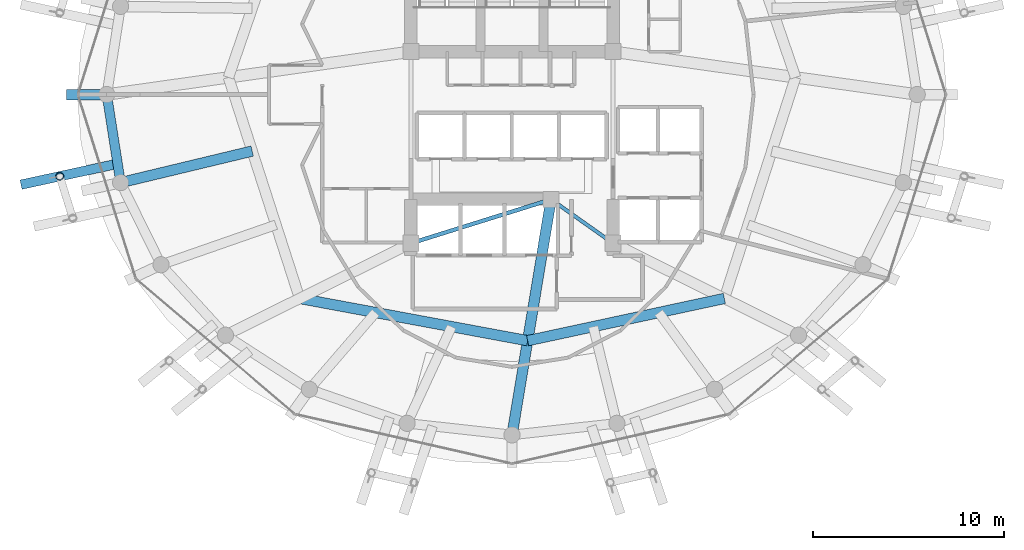
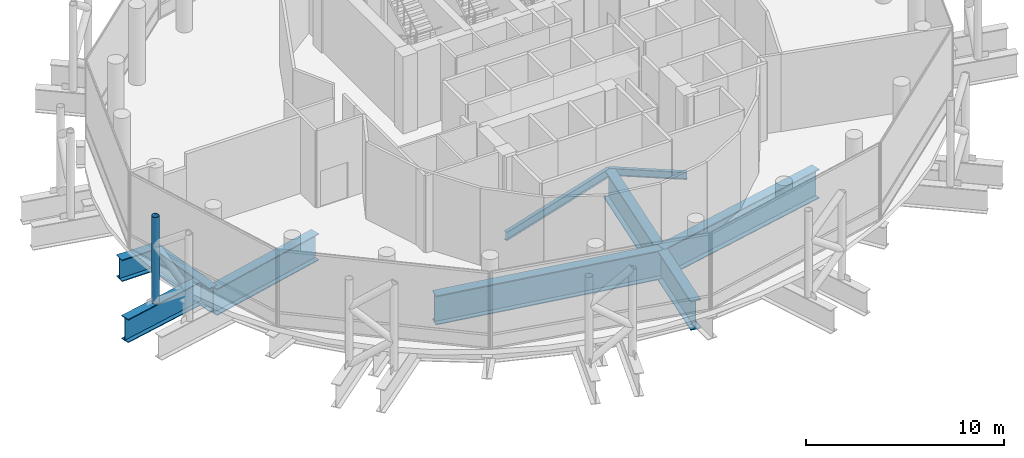
# One storey, part 5 of 31: 9 beams, 1 member.
"""IFC4 building model written with IfcOpenShell, lengths in metres."""

from ifc_helpers import new_model, si_unit, direction, frame, origin, origin_2d, place, context, subcontext, project, spatial, hollow_circle, i_section, extrude, material, material_profile, profile_set, type_object, element, save


model = new_model("IFC4")

# Units and contexts
model_context = context("Model", 3, precision=1e-05, world=origin(), true_north=direction((0.0, 1.0)))
body_context = subcontext(model_context, "Body", "Model", "MODEL_VIEW")
ifc_project = project(units=[si_unit("LENGTHUNIT", "METRE"), si_unit("AREAUNIT", "SQUARE_METRE"), si_unit("VOLUMEUNIT", "CUBIC_METRE"), si_unit("PLANEANGLEUNIT", "RADIAN"), si_unit("MASSUNIT", "GRAM", prefix="KILO")], contexts=[model_context])

# Site, building, storey
site_placement = place(None, origin())
site = spatial("IfcSite", under=ifc_project, at=site_placement, CompositionType="ELEMENT")
building_placement = place(site_placement, origin())
building = spatial("IfcBuilding", under=site, at=building_placement, Name="Nuhasar Tower", CompositionType="ELEMENT")
storey_placement = place(building_placement, frame((0.0, 0.0, 203.14990234375)))
storey = spatial("IfcBuildingStorey", under=building, at=storey_placement, Name="L49", CompositionType="ELEMENT", Elevation=203.14990234375)

# Beams
ifc_material_1 = material(Name="Steel S355", Category="steel")
ifc_material_profile_1 = material_profile(ifc_material_1, i_section(OverallWidth=0.18994140625, OverallDepth=0.45703125, WebThickness=0.009033203125, FlangeThickness=0.014404296875, at=origin_2d()), Name="W18X50")
ifc_profile_set_1 = profile_set([ifc_material_profile_1], Name="Steel S355")
beam_type_1 = type_object("IfcBeamType", Name="BM-RAD-W18X50", PredefinedType="BEAM", material=ifc_profile_set_1)
beam_1_placement = place(storey_placement, frame((41.050048828125, 21.300048828125, -0.5478515625), z_axis=(0.816265428953, -0.577677028708, 0.0), x_axis=(0.577677028708, 0.816265428953, 0.0)))
element("IfcBeam", 1, at=beam_1_placement, inside=storey, type_object=beam_type_1, Name="L49 Core Ring Girder 2", PredefinedType="BEAM", context=body_context, shape_type="SweptSolid", body=[
    extrude(i_section(OverallWidth=0.18994140625, OverallDepth=0.45703125, WebThickness=0.009033203125, FlangeThickness=0.014404296875, at=origin_2d()), origin(), (0.0, 0.0, 1.0), 3.9814453125),
])
ifc_material_profile_2 = material_profile(ifc_material_1, i_section(OverallWidth=0.208984375, OverallDepth=0.528076171875, WebThickness=0.009521484375, FlangeThickness=0.01318359375, at=origin_2d()), Name="W21X55")
ifc_profile_set_2 = profile_set([ifc_material_profile_2], Name="Steel S355")
beam_type_2 = type_object("IfcBeamType", Name="BM-RAD-W21X55", PredefinedType="BEAM", material=ifc_profile_set_2)
beam_2_placement = place(storey_placement, frame((33.699951171875, 19.0, -0.583984375), z_axis=(0.954363709454, 0.298646798205, 0.0), x_axis=(-0.298646798205, 0.954363709454, 0.0)))
element("IfcBeam", 2, at=beam_2_placement, inside=storey, type_object=beam_type_2, Name="L49 Core Ring Girder 1", PredefinedType="BEAM", context=body_context, shape_type="SweptSolid", body=[
    extrude(i_section(OverallWidth=0.208984375, OverallDepth=0.528076171875, WebThickness=0.009521484375, FlangeThickness=0.01318359375, at=origin_2d()), origin(), (0.0, 0.0, 1.0), 7.70166015625),
])
ifc_material_2 = material(Name="Steel S460", Category="steel")
ifc_material_profile_3 = material_profile(ifc_material_2, i_section(OverallWidth=0.550048828125, OverallDepth=1.35009765625, WebThickness=0.028076171875, FlangeThickness=0.050048828125, at=origin_2d()), Name="PG1350X550")
ifc_profile_set_3 = profile_set([ifc_material_profile_3], Name="Steel S460")
beam_type_3 = type_object("IfcBeamType", Name="BM-XFER-PG1350", PredefinedType="USERDEFINED", material=ifc_profile_set_3)
beam_3_placement = place(storey_placement, frame((17.75, 26.800048828125, -0.994873046875), z_axis=(-1.0, 0.0, 0.0), x_axis=(0.0, -1.0, 0.0)))
element("IfcBeam", 3, at=beam_3_placement, inside=storey, type_object=beam_type_3, Name="L49 Radial Step Transfer Girder 08", ObjectType="GIRDER", PredefinedType="USERDEFINED", context=body_context, shape_type="SweptSolid", body=[
    extrude(i_section(OverallWidth=0.550048828125, OverallDepth=1.35009765625, WebThickness=0.028076171875, FlangeThickness=0.050048828125, at=origin_2d()), origin(), (0.0, 0.0, 1.0), 2.10009765625),
])
ifc_material_profile_4 = material_profile(ifc_material_2, i_section(OverallWidth=0.5, OverallDepth=1.449951171875, WebThickness=0.028076171875, FlangeThickness=0.050048828125, at=origin_2d()), Name="PG1450X500")
ifc_profile_set_4 = profile_set([ifc_material_profile_4], Name="Steel S460")
beam_type_4 = type_object("IfcBeamType", Name="BM-XFER-PG1450", PredefinedType="USERDEFINED", material=ifc_profile_set_4)
beam_4_placement = place(storey_placement, frame((17.75, 26.800048828125, -1.044921875), z_axis=(0.154841886404, -0.987939264436, 0.0), x_axis=(0.987939264436, 0.154841886404, 0.0)))
element("IfcBeam", 4, at=beam_4_placement, inside=storey, type_object=beam_type_4, Name="L49 Perimeter Ring Spandrel 13", ObjectType="GIRDER", PredefinedType="USERDEFINED", context=body_context, shape_type="SweptSolid", body=[
    extrude(i_section(OverallWidth=0.5, OverallDepth=1.449951171875, WebThickness=0.028076171875, FlangeThickness=0.050048828125, at=origin_2d()), origin(), (0.0, 0.0, 1.0), 4.676513671875),
])
beam_5_placement = place(storey_placement, frame((18.319091796875, 23.172119140625, -1.044921875), z_axis=(-0.977312581793, -0.211802071448, 0.0), x_axis=(0.211802071448, -0.977312581793, 0.0)))
element("IfcBeam", 5, at=beam_5_placement, inside=storey, type_object=beam_type_4, Name="L49 Exoskeleton Step Transfer Girder 13", ObjectType="GIRDER", PredefinedType="USERDEFINED", context=body_context, shape_type="SweptSolid", body=[
    extrude(i_section(OverallWidth=0.5, OverallDepth=1.449951171875, WebThickness=0.028076171875, FlangeThickness=0.050048828125, at=origin_2d()), origin(), (0.0, 0.0, 1.0), 5.184814453125),
])
ifc_material_profile_5 = material_profile(ifc_material_2, i_section(OverallWidth=0.550048828125, OverallDepth=1.64990234375, WebThickness=0.031982421875, FlangeThickness=0.054931640625, at=origin_2d()), Name="PG1650X550")
ifc_profile_set_5 = profile_set([ifc_material_profile_5], Name="Steel S460")
beam_type_5 = type_object("IfcBeamType", Name="BM-XFER-PG1650", PredefinedType="USERDEFINED", material=ifc_profile_set_5)
beam_6_placement = place(storey_placement, frame((25.375, 23.8359375, -1.14501953125), z_axis=(-0.972393859227, -0.233345628923, 0.0), x_axis=(0.233345628923, -0.972393859227, 0.0)))
element("IfcBeam", 6, at=beam_6_placement, inside=storey, type_object=beam_type_5, Name="L49 Inner Column Transfer Girder 14", ObjectType="GIRDER", PredefinedType="USERDEFINED", context=body_context, shape_type="SweptSolid", body=[
    extrude(i_section(OverallWidth=0.550048828125, OverallDepth=1.64990234375, WebThickness=0.031982421875, FlangeThickness=0.054931640625, at=origin_2d()), origin(), (0.0, 0.0, 1.0), 7.0966796875),
])
ifc_material_profile_6 = material_profile(ifc_material_2, i_section(OverallWidth=0.550048828125, OverallDepth=1.800048828125, WebThickness=0.031982421875, FlangeThickness=0.054931640625, at=origin_2d()), Name="PG1800X550")
ifc_profile_set_6 = profile_set([ifc_material_profile_6], Name="Steel S460")
beam_type_6 = type_object("IfcBeamType", Name="BM-XFER-PG1800", PredefinedType="USERDEFINED", material=ifc_profile_set_6)
beam_7_placement = place(storey_placement, frame((41.050048828125, 21.300048828125, -1.219970703125), z_axis=(-0.163753822517, -0.98650123447, 0.0), x_axis=(0.98650123447, -0.163753822517, 0.0)))
element("IfcBeam", 7, at=beam_7_placement, inside=storey, type_object=beam_type_6, Name="L49 Radial Floor Girder 02", ObjectType="GIRDER", PredefinedType="USERDEFINED", context=body_context, shape_type="SweptSolid", body=[
    extrude(i_section(OverallWidth=0.550048828125, OverallDepth=1.800048828125, WebThickness=0.031982421875, FlangeThickness=0.054931640625, at=origin_2d()), origin(), (0.0, 0.0, 1.0), 12.51904296875),
])
beam_8_placement = place(storey_placement, frame((27.864013671875, 16.10693359375, -1.219970703125), z_axis=(0.983238439987, -0.182324354193, 0.0), x_axis=(0.182324354193, 0.983238439987, 0.0)))
element("IfcBeam", 8, at=beam_8_placement, inside=storey, type_object=beam_type_6, Name="L49 Inner Header Beam 01", ObjectType="GIRDER", PredefinedType="USERDEFINED", context=body_context, shape_type="SweptSolid", body=[
    extrude(i_section(OverallWidth=0.550048828125, OverallDepth=1.800048828125, WebThickness=0.031982421875, FlangeThickness=0.054931640625, at=origin_2d()), origin(), (0.0, 0.0, 1.0), 12.159912109375),
])
beam_9_placement = place(storey_placement, frame((39.820068359375, 13.889892578125, -1.219970703125), z_axis=(0.977676275959, 0.210116870876, 0.0), x_axis=(-0.210116870876, 0.977676275959, 0.0)))
element("IfcBeam", 9, at=beam_9_placement, inside=storey, type_object=beam_type_6, Name="L49 Inner Header Beam 02", ObjectType="GIRDER", PredefinedType="USERDEFINED", context=body_context, shape_type="SweptSolid", body=[
    extrude(i_section(OverallWidth=0.550048828125, OverallDepth=1.800048828125, WebThickness=0.031982421875, FlangeThickness=0.054931640625, at=origin_2d()), origin(), (0.0, 0.0, 1.0), 10.551513671875),
])

# Member
ifc_material_profile_7 = material_profile(ifc_material_2, hollow_circle(Radius=0.203125, WallThickness=0.01904296875, at=origin_2d()), Name="HSS406.4X19.1")
ifc_profile_set_7 = profile_set([ifc_material_profile_7], Name="Steel S460")
member_type = type_object("IfcMemberType", Name="EXO-BRONZE-406", PredefinedType="BRACE", material=ifc_profile_set_7)
member_placement = place(storey_placement, frame((15.281982421875, 22.513916015625, -0.31982421875), z_axis=(0.0, 0.0, 1.0), x_axis=(1.0, 0.0, 0.0)))
element("IfcMember", 10, at=member_placement, inside=storey, type_object=member_type, Name="L49 Exoskeleton Chord Column EC-07A", PredefinedType="BRACE", context=body_context, shape_type="SweptSolid", body=[
    extrude(hollow_circle(Radius=0.203125, WallThickness=0.01904296875, at=origin_2d()), origin(), (0.0, 0.0, 1.0), 5.31982421875),
])

save(model, "model.ifc")
